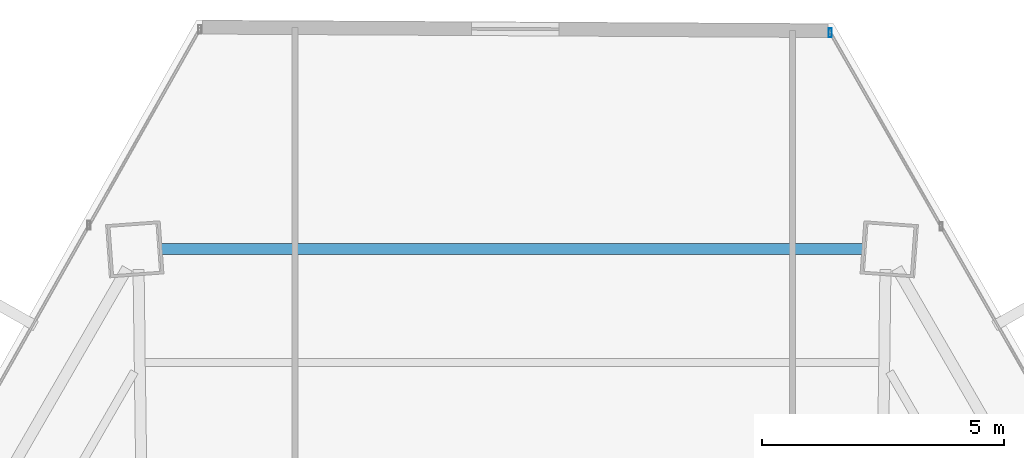
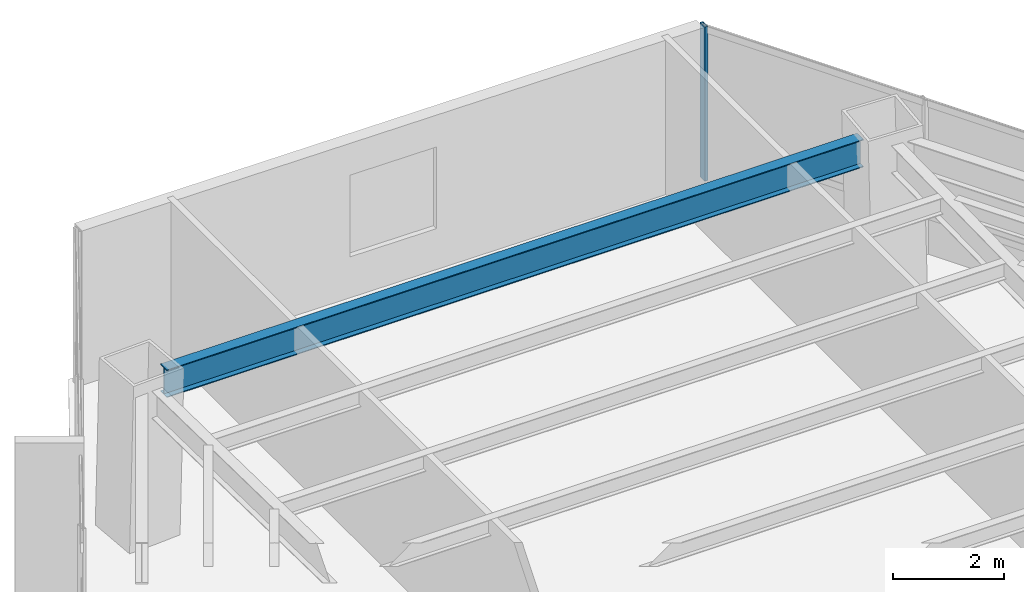
# One storey, part 26 of 35: 1 beam, 1 member, 1 element without a shape of its own.
"""IFC4 building model written with IfcOpenShell, lengths in metres."""

from ifc_helpers import new_model, si_unit, direction, frame, origin, origin_2d, place, context, subcontext, project, spatial, hollow_rectangle, i_section, extrude, source, transform, mapped, material, material_profile, profile_set, type_object, type_shapes, element, aggregate, save


model = new_model("IFC4")

# Units and contexts
model_context = context("Model", 3, precision=1e-05, world=origin(), true_north=direction((0.0, 1.0)))
body_context = subcontext(model_context, "Body", "Model", "MODEL_VIEW")
ifc_project = project(units=[si_unit("LENGTHUNIT", "METRE"), si_unit("AREAUNIT", "SQUARE_METRE"), si_unit("VOLUMEUNIT", "CUBIC_METRE"), si_unit("PLANEANGLEUNIT", "RADIAN"), si_unit("MASSUNIT", "GRAM", prefix="KILO")], contexts=[model_context])

# Site, building, storey
site_placement = place(None, origin())
site = spatial("IfcSite", under=ifc_project, at=site_placement, CompositionType="ELEMENT")
building_placement = place(site_placement, origin())
building = spatial("IfcBuilding", under=site, at=building_placement, Name="Caelisora Broadcast Tower", CompositionType="ELEMENT")
storey_placement = place(building_placement, frame((0.0, 0.0, 90.800048828125)))
storey = spatial("IfcBuildingStorey", under=building, at=storey_placement, Name="L23", CompositionType="ELEMENT", Elevation=90.800048828125)

# Beam
ifc_material_1 = material(Name="Steel Grade 350 (AS/NZS 3679.1)", Category="steel")
ifc_material_profile_1 = material_profile(ifc_material_1, i_section(OverallWidth=0.22900390625, OverallDepth=0.611572265625, WebThickness=0.011962890625, FlangeThickness=0.01953125, at=origin_2d()), Name="Steel Grade 350 (AS/NZS 3679.1)")
ifc_profile_set_1 = profile_set([ifc_material_profile_1], Name="Steel Grade 350 (AS/NZS 3679.1)")
beam_type = type_object("IfcBeamType", Name="PG03", PredefinedType="BEAM", material=ifc_profile_set_1)
shared_shape_1 = source(origin(), body_context, "Body", "SweptSolid", [
    extrude(i_section(OverallWidth=0.22900390625, OverallDepth=0.611572265625, WebThickness=0.011962890625, FlangeThickness=0.01953125, at=origin_2d()), origin(), (0.0, 0.0, 1.0), 14.50927734375),
])
type_shapes(beam_type, [shared_shape_1])
beam_placement = place(storey_placement, frame((45.254638671875, 46.3896484375, 3.09423828125), z_axis=(-1.0, 0.0, 0.0), x_axis=(0.0, -1.0, 0.0)))
element("IfcBeam", 1, at=beam_placement, inside=storey, type_object=beam_type, Name="L23 beam PG03", PredefinedType="BEAM", context=body_context, shape_type="MappedRepresentation", body=[
    mapped(shared_shape_1, transform((0.0, 0.0, 0.0), scale=1.0)),
])

# Curtain wall, member
ifc_material_2 = material(Name="Unitised Aluminium and Low-E Glass Curtain Wall", Category="glass")
curtain_wall_type = type_object("IfcCurtainWallType", Name="CW-Z2", PredefinedType="NOTDEFINED", material=ifc_material_2)
curtain_wall_placement = place(storey_placement, origin())
curtain_wall = element("IfcCurtainWall", 2, at=curtain_wall_placement, inside=storey, type_object=curtain_wall_type, Name="L23 curtain wall CW-Z2", PredefinedType="NOTDEFINED")
ifc_material_3 = material(Name="Aluminium 6063-T6 Anodised Terracotta Bronze", Category="aluminium")
ifc_material_profile_2 = material_profile(ifc_material_3, hollow_rectangle(XDim=0.06494140625, YDim=0.179931640625, WallThickness=0.00341796875, at=origin_2d()), Name="Aluminium 6063-T6 Anodised Terracotta Bronze")
ifc_profile_set_2 = profile_set([ifc_material_profile_2], Name="Aluminium 6063-T6 Anodised Terracotta Bronze")
member_type = type_object("IfcMemberType", Name="CWM-02", PredefinedType="MULLION", material=ifc_profile_set_2)
shared_shape_2 = source(origin(), body_context, "Body", "SweptSolid", [
    extrude(hollow_rectangle(XDim=0.06494140625, YDim=0.179931640625, WallThickness=0.00341796875, at=origin_2d()), origin(), (0.0, 0.0, 1.0), 3.39990234375),
])
type_shapes(member_type, [shared_shape_2])
member_placement = place(storey_placement, frame((44.57275390625, 50.8525390625, 0.0), z_axis=(0.0, 0.0, 1.0), x_axis=(1.0, 0.0, 0.0)))
member = element("IfcMember", 3, at=member_placement, type_object=member_type, Name="L23-CW-B01 mullion #0", PredefinedType="MULLION", context=body_context, shape_type="MappedRepresentation", body=[
    mapped(shared_shape_2, transform((0.0, 0.0, 0.0), scale=1.0)),
])
aggregate(curtain_wall, [member])

save(model, "model.ifc")
